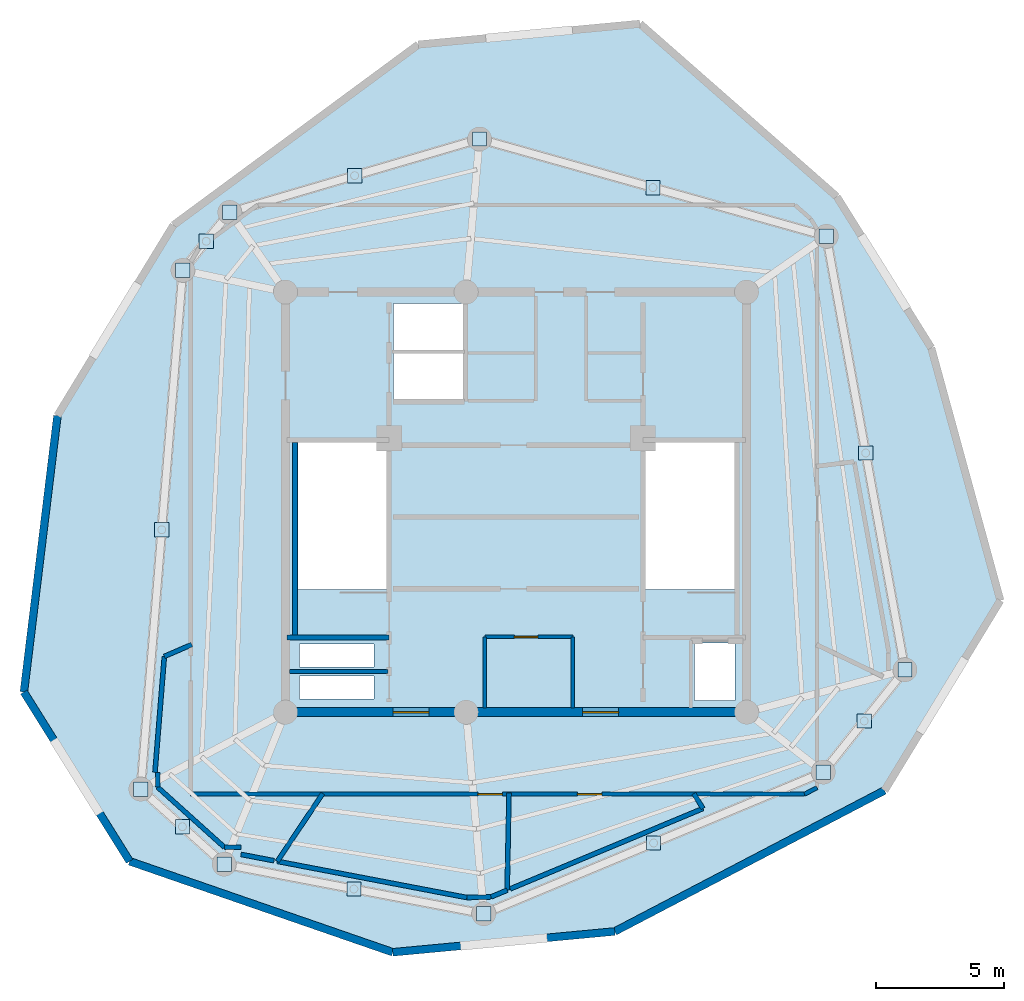
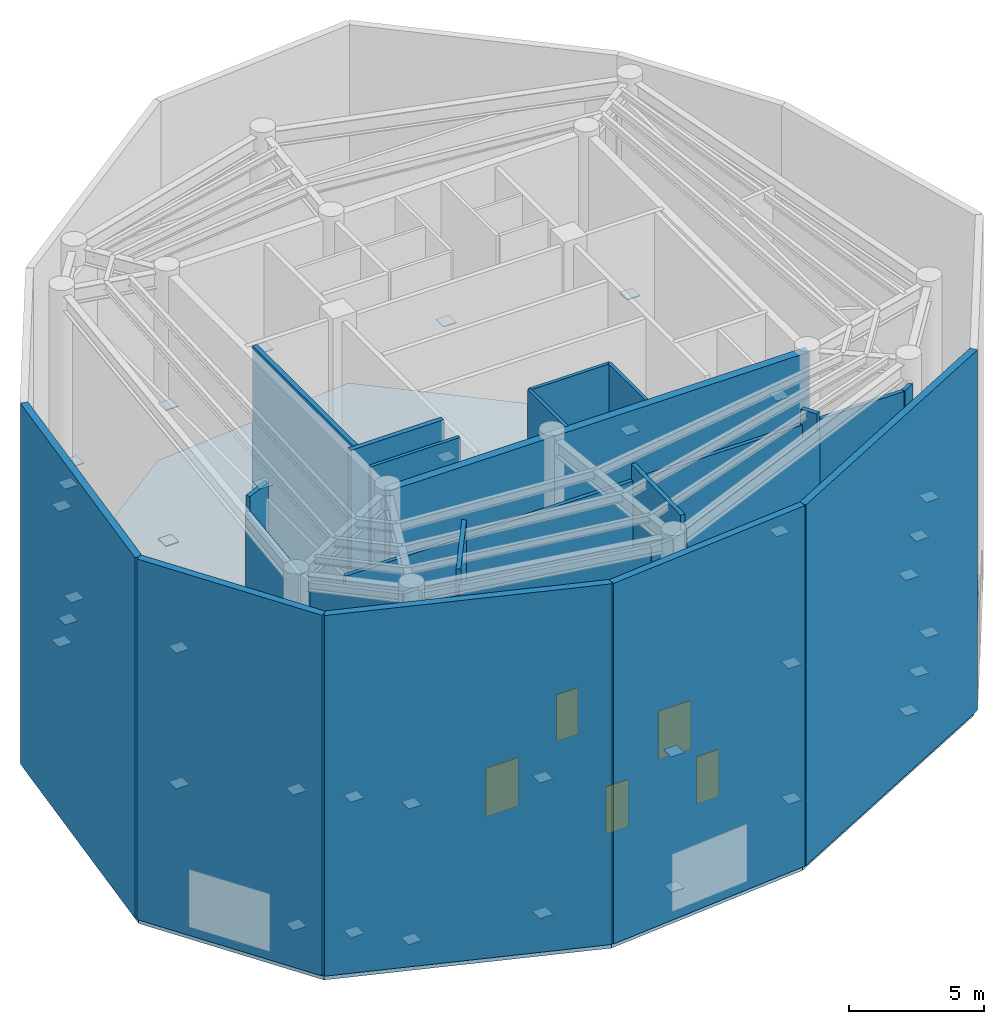
# One storey, part 3 of 6: 36 plates, 28 walls, 5 doors, 1 slab, 5 openings.
"""IFC4 building model written with IfcOpenShell, lengths in metres."""

from ifc_helpers import new_model, si_unit, direction, frame, frame_2d, origin, origin_with_axes, origin_2d, place, context, subcontext, project, spatial, polyline, rectangle, outline, extrude, source, transform, mapped, material, layer, layer_set, type_object, element, fill, save


model = new_model("IFC4")

# Units and contexts
model_context = context("Model", 3, precision=1e-05, world=origin(), true_north=direction((0.0, 1.0)))
body_context = subcontext(model_context, "Body", "Model", "MODEL_VIEW")
ifc_project = project(units=[si_unit("LENGTHUNIT", "METRE"), si_unit("AREAUNIT", "SQUARE_METRE"), si_unit("VOLUMEUNIT", "CUBIC_METRE"), si_unit("PLANEANGLEUNIT", "RADIAN"), si_unit("MASSUNIT", "GRAM", prefix="KILO")], contexts=[model_context])

# Site, building, storey
site_placement = place(None, origin())
site = spatial("IfcSite", under=ifc_project, at=site_placement, CompositionType="ELEMENT")
building_placement = place(site_placement, origin())
building = spatial("IfcBuilding", under=site, at=building_placement, Name="Karkom Vertical University and Central Library", CompositionType="ELEMENT")
storey_placement = place(building_placement, frame((0.0, 0.0, 273.39990234375)))
storey = spatial("IfcBuildingStorey", under=building, at=storey_placement, Name="C81", CompositionType="ELEMENT", Elevation=273.39990234375)

# Slab
ifc_material_1 = material(Name="Concrete C45/55", Category="concrete")
ifc_layer_1 = layer(ifc_material_1, 0.27490234375)
ifc_layer_set_1 = layer_set([ifc_layer_1], Name="Concrete C45/55")
slab_type = type_object("IfcSlabType", Name="STR-SLB-FLR-275", PredefinedType="FLOOR", material=ifc_layer_set_1)
slab_placement = place(storey_placement, frame((0.0, 0.0, -0.27490234375)))
element("IfcSlab", 1, at=slab_placement, inside=storey, type_object=slab_type, Name="Crown Level 81 Tower Structural Floor Slab", PredefinedType="FLOOR", context=body_context, shape_type="SweptSolid", body=[
    extrude(outline(polyline([(9.28466796875, 19.087158203125), (13.413818359375, 12.47900390625), (23.686279296875, 8.926513671875), (32.35498046875, 9.739501953125), (42.880126953125, 15.24169921875), (47.401123046875, 22.660888671875), (44.7041015625, 32.5234375), (41.017333984375, 38.423583984375), (33.335205078125, 45.171142578125), (24.684814453125, 44.360107421875), (15.12548828125, 37.312255859375), (10.594970703125, 29.876953125), (9.28466796875, 19.087158203125)]), holes=[polyline([(19.97998046875, 23.0849609375), (23.43994140625, 23.0849609375), (23.43994140625, 28.820068359375), (19.97998046875, 28.820068359375), (19.97998046875, 23.0849609375)]), polyline([(33.56005859375, 23.0849609375), (37.02001953125, 23.0849609375), (37.02001953125, 28.820068359375), (33.56005859375, 28.820068359375), (33.56005859375, 23.0849609375)]), polyline([(23.719970703125, 30.47998046875), (26.429931640625, 30.47998046875), (26.429931640625, 32.320068359375), (23.719970703125, 32.320068359375), (23.719970703125, 30.47998046875)]), polyline([(23.719970703125, 32.419921875), (26.429931640625, 32.419921875), (26.429931640625, 34.260009765625), (23.719970703125, 34.260009765625), (23.719970703125, 32.419921875)]), polyline([(20.050048828125, 18.820068359375), (22.949951171875, 18.820068359375), (22.949951171875, 19.719970703125), (20.050048828125, 19.719970703125), (20.050048828125, 18.820068359375)]), polyline([(20.050048828125, 20.06005859375), (22.949951171875, 20.06005859375), (22.949951171875, 20.9599609375), (20.050048828125, 20.9599609375), (20.050048828125, 20.06005859375)]), polyline([(35.4599609375, 18.760009765625), (37.0400390625, 18.760009765625), (37.0400390625, 21.010009765625), (35.4599609375, 21.010009765625), (35.4599609375, 18.760009765625)])]), origin(), (0.0, 0.0, 1.0), 0.27490234375),
])

# Plates
ifc_material_2 = material(Name="Steel S355", Category="steel")
ifc_layer_2 = layer(ifc_material_2, 0.028076171875)
ifc_layer_set_2 = layer_set([ifc_layer_2], Name="Steel S355")
plate_type = type_object("IfcPlateType", Name="STR-PLT-GP-2", PredefinedType="USERDEFINED", material=ifc_layer_set_2)
shared_shape_1 = source(origin_with_axes(), body_context, "Body", "SweptSolid", [
    extrude(rectangle(XDim=0.56005859375, YDim=0.56005859375, at=origin_2d()), origin(), (0.0, 0.0, 1.0), 0.028076171875),
])
for number, where, z_axis, x_axis, name in (
    (2, (43.681884765625, 19.9560546875, 0.3359375), (0.0, 0.0, 1.0), (1.0, 0.0, 0.0), "Crown Level 81 Node Gusset Cap Plate C81-BELT-BRACE-01 A"),
    (3, (40.613037109375, 36.8798828125, 6.48583984375), (0.0, 0.0, 1.0), (1.0, 0.0, 0.0), "Crown Level 81 Node Gusset Cap Plate C81-BELT-BRACE-01 B"),
    (4, (40.613037109375, 36.8798828125, 0.3359375), (0.0, 0.0, 1.0), (1.0, 0.0, 0.0), "Crown Level 81 Node Gusset Cap Plate C81-BELT-CHORD-01 B"),
    (5, (42.1474609375, 28.41796875, 0.3359375), (0.0, 0.0, 1.0), (1.0, 0.0, 0.0), "Crown Level 81 Node Gusset Cap Plate C81-BELT-POST-01 A"),
    (6, (42.1474609375, 28.41796875, 6.48583984375), (0.0, 0.0, 1.0), (1.0, 0.0, 0.0), "Crown Level 81 Node Gusset Cap Plate C81-BELT-POST-01 B"),
    (7, (27.072998046875, 40.677001953125, 6.48583984375), (0.0, 0.0, 1.0), (1.0, 0.0, 0.0), "Crown Level 81 Node Gusset Cap Plate C81-BELT-BRACE-02 B"),
    (8, (27.072998046875, 40.677001953125, 0.3359375), (0.0, 0.0, 1.0), (1.0, 0.0, 0.0), "Crown Level 81 Node Gusset Cap Plate C81-BELT-CHORD-02 B"),
    (9, (33.843017578125, 38.778564453125, 0.3359375), (0.0, 0.0, 1.0), (1.0, 0.0, 0.0), "Crown Level 81 Node Gusset Cap Plate C81-BELT-POST-02 A"),
    (10, (33.843017578125, 38.778564453125, 6.48583984375), (0.0, 0.0, 1.0), (1.0, 0.0, 0.0), "Crown Level 81 Node Gusset Cap Plate C81-BELT-POST-02 B"),
    (11, (17.320068359375, 37.81298828125, 6.48583984375), (0.0, 0.0, 1.0), (1.0, 0.0, 0.0), "Crown Level 81 Node Gusset Cap Plate C81-BELT-BRACE-03 B"),
    (12, (17.320068359375, 37.81298828125, 0.3359375), (0.0, 0.0, 1.0), (1.0, 0.0, 0.0), "Crown Level 81 Node Gusset Cap Plate C81-BELT-CHORD-03 B"),
    (13, (22.196533203125, 39.2451171875, 0.3359375), (0.0, 0.0, 1.0), (1.0, 0.0, 0.0), "Crown Level 81 Node Gusset Cap Plate C81-BELT-POST-03 A"),
    (14, (22.196533203125, 39.2451171875, 6.48583984375), (0.0, 0.0, 1.0), (1.0, 0.0, 0.0), "Crown Level 81 Node Gusset Cap Plate C81-BELT-POST-03 B"),
    (15, (15.489990234375, 35.552001953125, 6.48583984375), (0.0, 0.0, 1.0), (1.0, 0.0, 0.0), "Crown Level 81 Node Gusset Cap Plate C81-BELT-BRACE-04 B"),
    (16, (15.489990234375, 35.552001953125, 0.3359375), (0.0, 0.0, 1.0), (1.0, 0.0, 0.0), "Crown Level 81 Node Gusset Cap Plate C81-BELT-CHORD-04 B"),
    (17, (16.405029296875, 36.6826171875, 0.3359375), (0.0, 0.0, 1.0), (1.0, 0.0, 0.0), "Crown Level 81 Node Gusset Cap Plate C81-BELT-POST-04 A"),
    (18, (16.405029296875, 36.6826171875, 6.48583984375), (0.0, 0.0, 1.0), (1.0, 0.0, 0.0), "Crown Level 81 Node Gusset Cap Plate C81-BELT-POST-04 B"),
    (19, (13.84912109375, 15.294921875, 6.48583984375), (0.0, 0.0, 1.0), (1.0, 0.0, 0.0), "Crown Level 81 Node Gusset Cap Plate C81-BELT-BRACE-05 B"),
    (20, (13.84912109375, 15.294921875, 0.3359375), (0.0, 0.0, 1.0), (1.0, 0.0, 0.0), "Crown Level 81 Node Gusset Cap Plate C81-BELT-CHORD-05 B"),
    (21, (14.66943359375, 25.423583984375, 0.3359375), (0.0, 0.0, 1.0), (1.0, 0.0, 0.0), "Crown Level 81 Node Gusset Cap Plate C81-BELT-POST-05 A"),
    (22, (14.66943359375, 25.423583984375, 6.48583984375), (0.0, 0.0, 1.0), (1.0, 0.0, 0.0), "Crown Level 81 Node Gusset Cap Plate C81-BELT-POST-05 B"),
    (23, (17.10302734375, 12.365966796875, 6.48583984375), (0.0, 0.0, 1.0), (1.0, 0.0, 0.0), "Crown Level 81 Node Gusset Cap Plate C81-BELT-BRACE-06 B"),
    (24, (17.10302734375, 12.365966796875, 0.3359375), (0.0, 0.0, 1.0), (1.0, 0.0, 0.0), "Crown Level 81 Node Gusset Cap Plate C81-BELT-CHORD-06 B"),
    (25, (15.47607421875, 13.83056640625, 0.3359375), (0.0, 0.0, 1.0), (1.0, 0.0, 0.0), "Crown Level 81 Node Gusset Cap Plate C81-BELT-POST-06 A"),
    (26, (15.47607421875, 13.83056640625, 6.48583984375), (0.0, 0.0, 1.0), (1.0, 0.0, 0.0), "Crown Level 81 Node Gusset Cap Plate C81-BELT-POST-06 B"),
    (27, (27.239013671875, 10.429931640625, 6.48583984375), (0.0, 0.0, 1.0), (1.0, 0.0, 0.0), "Crown Level 81 Node Gusset Cap Plate C81-BELT-BRACE-07 B"),
    (28, (27.239013671875, 10.429931640625, 0.3359375), (0.0, 0.0, 1.0), (1.0, 0.0, 0.0), "Crown Level 81 Node Gusset Cap Plate C81-BELT-CHORD-07 B"),
    (29, (22.1708984375, 11.39794921875, 0.3359375), (0.0, 0.0, 1.0), (1.0, 0.0, 0.0), "Crown Level 81 Node Gusset Cap Plate C81-BELT-POST-07 A"),
    (30, (22.1708984375, 11.39794921875, 6.48583984375), (0.0, 0.0, 1.0), (1.0, 0.0, 0.0), "Crown Level 81 Node Gusset Cap Plate C81-BELT-POST-07 B"),
    (31, (40.493896484375, 15.9599609375, 6.48583984375), (0.0, 0.0, 1.0), (1.0, 0.0, 0.0), "Crown Level 81 Node Gusset Cap Plate C81-BELT-BRACE-08 B"),
    (32, (40.493896484375, 15.9599609375, 0.3359375), (0.0, 0.0, 1.0), (1.0, 0.0, 0.0), "Crown Level 81 Node Gusset Cap Plate C81-BELT-CHORD-08 B"),
    (33, (33.866455078125, 13.195068359375, 0.3359375), (0.0, 0.0, 1.0), (1.0, 0.0, 0.0), "Crown Level 81 Node Gusset Cap Plate C81-BELT-POST-08 A"),
    (34, (33.866455078125, 13.195068359375, 6.48583984375), (0.0, 0.0, 1.0), (1.0, 0.0, 0.0), "Crown Level 81 Node Gusset Cap Plate C81-BELT-POST-08 B"),
    (35, (43.681884765625, 19.9560546875, 6.48583984375), (0.0, 0.0, 1.0), (1.0, 0.0, 0.0), "Crown Level 81 Node Gusset Cap Plate C81-BELT-BRACE-09 B"),
    (36, (42.087890625, 17.9580078125, 0.3359375), (0.0, 0.0, 1.0), (1.0, 0.0, 0.0), "Crown Level 81 Node Gusset Cap Plate C81-BELT-POST-09 A"),
    (37, (42.087890625, 17.9580078125, 6.48583984375), (0.0, 0.0, 1.0), (1.0, 0.0, 0.0), "Crown Level 81 Node Gusset Cap Plate C81-BELT-POST-09 B"),
):
    element("IfcPlate", number, at=place(storey_placement, frame(where, z_axis=z_axis, x_axis=x_axis)), inside=storey, type_object=plate_type, Name=name, ObjectType="GUSSET PLATE", PredefinedType="USERDEFINED", context=body_context, shape_type="MappedRepresentation", body=[
        mapped(shared_shape_1, transform((0.0, 0.0, 0.0), scale=1.0)),
    ])

# Walls
ifc_material_3 = material(Name="Brick-faced precast concrete C45/55", Category="masonry")
ifc_layer_3 = layer(ifc_material_3, 0.300048828125)
ifc_layer_set_3 = layer_set([ifc_layer_3], Name="Brick-faced precast concrete C45/55")
wall_type_1 = type_object("IfcWallType", Name="ENV-WL-CRN-300", PredefinedType="SOLIDWALL", material=ifc_layer_set_3)
wall_1_placement = place(storey_placement, frame((9.28466796875, 19.087158203125, 0.0), z_axis=(0.0, 0.0, 1.0), x_axis=(0.529911631117, -0.848052865809, 0.0)))
element("IfcWall", 38, at=wall_1_placement, inside=storey, type_object=wall_type_1, Name="Crown Level 81 Brick-Faced Precast Facade Wall 01", PredefinedType="SOLIDWALL", context=body_context, shape_type="SweptSolid", body=[
    extrude(rectangle(XDim=7.792236328125, YDim=0.300048828125, at=frame_2d((3.89599609375, 0.0))), origin(), (0.0, 0.0, 1.0), 16.35009765625),
])
wall_2_placement = place(storey_placement, frame((13.413818359375, 12.47900390625, 0.0), z_axis=(0.0, 0.0, 1.0), x_axis=(0.945081634544, -0.326834367912, 0.0)))
element("IfcWall", 39, at=wall_2_placement, inside=storey, type_object=wall_type_1, Name="Crown Level 81 Brick-Faced Precast Facade Wall 02", PredefinedType="SOLIDWALL", context=body_context, shape_type="SweptSolid", body=[
    extrude(rectangle(XDim=10.869384765625, YDim=0.300048828125, at=frame_2d((5.4345703125, 0.0))), origin(), (0.0, 0.0, 1.0), 16.35009765625),
])
wall_3_placement = place(storey_placement, frame((23.686279296875, 8.926513671875, 0.0), z_axis=(0.0, 0.0, 1.0), x_axis=(0.99563104956, 0.093374585153, 0.0)))
element("IfcWall", 40, at=wall_3_placement, inside=storey, type_object=wall_type_1, Name="Crown Level 81 Brick-Faced Precast Facade Wall 03", PredefinedType="SOLIDWALL", context=body_context, shape_type="SweptSolid", body=[
    extrude(rectangle(XDim=8.706787109375, YDim=0.300048828125, at=frame_2d((4.353515625, 0.0))), origin(), (0.0, 0.0, 1.0), 16.35009765625),
])
wall_4_placement = place(storey_placement, frame((32.35498046875, 9.739501953125, 0.0), z_axis=(0.0, 0.0, 1.0), x_axis=(0.886211058158, 0.463281728972, 0.0)))
element("IfcWall", 41, at=wall_4_placement, inside=storey, type_object=wall_type_1, Name="Crown Level 81 Brick-Faced Precast Facade Wall 04", PredefinedType="SOLIDWALL", context=body_context, shape_type="SweptSolid", body=[
    extrude(rectangle(XDim=11.87646484375, YDim=0.300048828125, at=frame_2d((5.938232421875, 0.0))), origin(), (0.0, 0.0, 1.0), 16.35009765625),
])
wall_5_placement = place(storey_placement, frame((10.594970703125, 29.876953125, 0.0), z_axis=(0.0, 0.0, 1.0), x_axis=(-0.120553402625, -0.992706843492, 0.0)))
element("IfcWall", 42, at=wall_5_placement, inside=storey, type_object=wall_type_1, Name="Crown Level 81 Brick-Faced Precast Facade Wall 12", PredefinedType="SOLIDWALL", context=body_context, shape_type="SweptSolid", body=[
    extrude(rectangle(XDim=10.869140625, YDim=0.300048828125, at=frame_2d((5.4345703125, 0.0))), origin(), (0.0, 0.0, 1.0), 16.35009765625),
])

# Wall, openings, doors
ifc_material_4 = material(Name="Insulated metal-stud drywall 160mm", Category="gypsum")
ifc_layer_4 = layer(ifc_material_4, 0.159912109375)
ifc_layer_set_4 = layer_set([ifc_layer_4], Name="Insulated metal-stud drywall 160mm")
wall_type_2 = type_object("IfcWallType", Name="INT-WL-COR-160F", PredefinedType="PARTITIONING", material=ifc_layer_set_4)
wall_6_placement = place(storey_placement, frame((39.760009765625, 15.10009765625, 0.0), z_axis=(0.0, 0.0, 1.0), x_axis=(-1.0, 0.0, 0.0)))
wall_6 = element("IfcWall", 43, at=wall_6_placement, inside=storey, type_object=wall_type_2, Name="Crown Level 81 Interior Partition Wall C81-PCORW-CW-001", PredefinedType="PARTITIONING", context=body_context, shape_type="SweptSolid", body=[
    extrude(rectangle(XDim=23.9599609375, YDim=0.159912109375, at=frame_2d((11.97998046875, 0.0))), origin(), (0.0, 0.0, 1.0), 15.650146484375),
])
opening_1_placement = place(wall_6_placement, frame((11.795166015625, 0.0, 0.0)))
opening_1 = element("IfcOpeningElement", 44, at=opening_1_placement, cuts=wall_6, Name="Opening FD-RM1", PredefinedType="OPENING", context=body_context, shape_type="SweptSolid", body=[
    extrude(rectangle(XDim=0.9599609375, YDim=2.14990234375, at=frame_2d((0.47998046875, 1.074951171875))), frame((0.0, 0.08984375, 0.0), z_axis=(0.0, -1.0, 0.0), x_axis=(1.0, 0.0, 0.0)), (0.0, 0.0, 1.0), 0.179931640625),
])
opening_2_placement = place(wall_6_placement, frame((7.910888671875, 0.0, 0.0)))
opening_2 = element("IfcOpeningElement", 45, at=opening_2_placement, cuts=wall_6, Name="Opening FD-RM1", PredefinedType="OPENING", context=body_context, shape_type="SweptSolid", body=[
    extrude(rectangle(XDim=0.9599609375, YDim=2.14990234375, at=frame_2d((0.47998046875, 1.074951171875))), frame((0.0, 0.08984375, 0.0), z_axis=(0.0, -1.0, 0.0), x_axis=(1.0, 0.0, 0.0)), (0.0, 0.0, 1.0), 0.179931640625),
])
ifc_material_5 = material(Name="Fire-rated oak veneer door", Category="wood")
door_type_1 = type_object("IfcDoorType", Name="INT-DR-FRM1", OperationType="NOTDEFINED", PredefinedType="DOOR", material=ifc_material_5)
shared_shape_2 = source(origin_with_axes(), body_context, "Body", "SweptSolid", [
    extrude(rectangle(XDim=0.9599609375, YDim=2.14990234375, at=frame_2d((0.47998046875, 1.074951171875))), frame((0.0, 0.02490234375, 0.0), z_axis=(0.0, -1.0, 0.0), x_axis=(1.0, 0.0, 0.0)), (0.0, 0.0, 1.0), 0.050048828125),
])
door_1_placement = place(opening_1_placement, origin())
door_1 = element("IfcDoor", 46, at=door_1_placement, inside=storey, type_object=door_type_1, Name="Crown Level 81 Room Entry Door 701", OperationType="SINGLE_SWING_LEFT", OverallHeight=2.14990234375, OverallWidth=0.9599609375, PredefinedType="DOOR", context=body_context, shape_type="MappedRepresentation", body=[
    mapped(shared_shape_2, transform((0.0, 0.0, 0.0), scale=1.0)),
])
fill(opening_1, door_1)
door_2_placement = place(opening_2_placement, origin())
door_2 = element("IfcDoor", 47, at=door_2_placement, inside=storey, type_object=door_type_1, Name="Crown Level 81 Room Entry Door 702", OperationType="SINGLE_SWING_RIGHT", OverallHeight=2.14990234375, OverallWidth=0.9599609375, PredefinedType="DOOR", context=body_context, shape_type="MappedRepresentation", body=[
    mapped(shared_shape_2, transform((0.0, 0.0, 0.0), scale=1.0)),
])
fill(opening_2, door_2)

# Wall
wall_7_placement = place(storey_placement, frame((40.25, 15.356201171875, 0.0), z_axis=(0.0, 0.0, 1.0), x_axis=(-0.886246044064, -0.463214798318, 0.0)))
element("IfcWall", 48, at=wall_7_placement, inside=storey, type_object=wall_type_2, Name="Crown Level 81 Interior Partition Wall C81-PCORW-CW-009", PredefinedType="PARTITIONING", context=body_context, shape_type="SweptSolid", body=[
    extrude(rectangle(XDim=0.552978515625, YDim=0.159912109375, at=frame_2d((0.2763671875, 0.0))), origin(), (0.0, 0.0, 1.0), 15.650146484375),
])

# Wall, opening, door
ifc_material_6 = material(Name="Metal-stud gypsum partition 140mm", Category="gypsum")
ifc_layer_5 = layer(ifc_material_6, 0.139892578125)
ifc_layer_set_5 = layer_set([ifc_layer_5], Name="Metal-stud gypsum partition 140mm")
wall_type_3 = type_object("IfcWallType", Name="INT-WL-SUB-140", PredefinedType="PARTITIONING", material=ifc_layer_set_5)
wall_8_placement = place(storey_placement, frame((27.280029296875, 21.239990234375, 0.0), z_axis=(0.0, 0.0, 1.0), x_axis=(1.0, 0.0, 0.0)))
wall_8 = element("IfcWall", 49, at=wall_8_placement, inside=storey, type_object=wall_type_3, Name="Crown Level 81 Interior Partition Wall C81-CW-KBAY-N", PredefinedType="PARTITIONING", context=body_context, shape_type="SweptSolid", body=[
    extrude(rectangle(XDim=3.43994140625, YDim=0.139892578125, at=frame_2d((1.719970703125, 0.0))), origin(), (0.0, 0.0, 1.0), 16.35009765625),
])
opening_3_placement = place(wall_8_placement, frame((1.14990234375, 0.0, 0.0)))
opening_3 = element("IfcOpeningElement", 50, at=opening_3_placement, cuts=wall_8, Name="Opening D-SVC1", PredefinedType="OPENING", context=body_context, shape_type="SweptSolid", body=[
    extrude(rectangle(XDim=0.919921875, YDim=2.10009765625, at=frame_2d((0.4599609375, 1.050048828125))), frame((0.0, 0.080078125, 0.0), z_axis=(0.0, -1.0, 0.0), x_axis=(1.0, 0.0, 0.0)), (0.0, 0.0, 1.0), 0.159912109375),
])
ifc_material_7 = material(Name="Painted timber service door", Category="wood")
door_type_2 = type_object("IfcDoorType", Name="INT-DR-SVC1", OperationType="NOTDEFINED", PredefinedType="DOOR", material=ifc_material_7)
shared_shape_3 = source(origin_with_axes(), body_context, "Body", "SweptSolid", [
    extrude(rectangle(XDim=0.919921875, YDim=2.10009765625, at=frame_2d((0.4599609375, 1.050048828125))), frame((0.0, 0.02490234375, 0.0), z_axis=(0.0, -1.0, 0.0), x_axis=(1.0, 0.0, 0.0)), (0.0, 0.0, 1.0), 0.050048828125),
])
door_3_placement = place(opening_3_placement, origin())
door_3 = element("IfcDoor", 51, at=door_3_placement, inside=storey, type_object=door_type_2, Name="Crown Level 81 Comms Room Door", OperationType="SINGLE_SWING_RIGHT", OverallHeight=2.10009765625, OverallWidth=0.919921875, PredefinedType="DOOR", context=body_context, shape_type="MappedRepresentation", body=[
    mapped(shared_shape_3, transform((0.0, 0.0, 0.0), scale=1.0)),
])
fill(opening_3, door_3)

# Walls
for number, where, z_axis, x_axis, name in (
    (52, (27.280029296875, 18.4599609375, 0.0), (0.0, 0.0, 1.0), (0.0, 1.0, 0.0), "Crown Level 81 Interior Partition Wall C81-CW-KBAY-W"),
    (53, (30.719970703125, 18.4599609375, 0.0), (0.0, 0.0, 1.0), (0.0, 1.0, 0.0), "Crown Level 81 Interior Partition Wall C81-CW-KBAY-E"),
):
    element("IfcWall", number, at=place(storey_placement, frame(where, z_axis=z_axis, x_axis=x_axis)), inside=storey, type_object=wall_type_3, Name=name, PredefinedType="PARTITIONING", context=body_context, shape_type="SweptSolid", body=[
        extrude(rectangle(XDim=2.780029296875, YDim=0.139892578125, at=frame_2d((1.39013671875, 0.0))), origin(), (0.0, 0.0, 1.0), 16.35009765625),
    ])
ifc_layer_6 = layer(ifc_material_6, 0.139892578125)
ifc_layer_set_6 = layer_set([ifc_layer_6], Name="Metal-stud gypsum partition 140mm")
wall_type_4 = type_object("IfcWallType", Name="INT-WL-SUB-140H", PredefinedType="PARTITIONING", material=ifc_layer_set_6)
wall_9_placement = place(storey_placement, frame((19.659912109375, 19.889892578125, 0.0), z_axis=(0.0, 0.0, 1.0), x_axis=(1.0, 0.0, 0.0)))
element("IfcWall", 54, at=wall_9_placement, inside=storey, type_object=wall_type_4, Name="Crown Level 81 Interior Partition Wall C81-CW-RIS-W", PredefinedType="PARTITIONING", context=body_context, shape_type="SweptSolid", body=[
    extrude(rectangle(XDim=3.83740234375, YDim=0.139892578125, at=frame_2d((1.918701171875, 0.0))), origin(), (0.0, 0.0, 1.0), 16.35009765625),
])
ifc_material_8 = material(Name="Twin-stud acoustic drywall 180mm", Category="gypsum")
ifc_layer_7 = layer(ifc_material_8, 0.179931640625)
ifc_layer_set_7 = layer_set([ifc_layer_7], Name="Twin-stud acoustic drywall 180mm")
wall_type_5 = type_object("IfcWallType", Name="INT-WL-TEN-180F", PredefinedType="PARTITIONING", material=ifc_layer_set_7)
wall_10_placement = place(storey_placement, frame((35.796630859375, 14.5419921875, 0.0), z_axis=(0.0, 0.0, 1.0), x_axis=(-0.922909385412, -0.3850172286, 0.0)))
element("IfcWall", 55, at=wall_10_placement, inside=storey, type_object=wall_type_5, Name="Crown Level 81 Interior Partition Wall C81-PLCHW-014", PredefinedType="PARTITIONING", context=body_context, shape_type="SweptSolid", body=[
    extrude(rectangle(XDim=8.152587890625, YDim=0.179931640625, at=frame_2d((4.076171875, 0.0))), origin(), (0.0, 0.0, 1.0), 15.650146484375),
])
wall_11_placement = place(storey_placement, frame((26.5791015625, 11.065185546875, 0.0), z_axis=(0.0, 0.0, 1.0), x_axis=(-0.982245124485, 0.187602013383, 0.0)))
element("IfcWall", 56, at=wall_11_placement, inside=storey, type_object=wall_type_5, Name="Crown Level 81 Interior Partition Wall C81-PLCHW-011", PredefinedType="PARTITIONING", context=body_context, shape_type="SweptSolid", body=[
    extrude(rectangle(XDim=7.53369140625, YDim=0.179931640625, at=frame_2d((3.766845703125, 0.0))), origin(), (0.0, 0.0, 1.0), 15.650146484375),
])
wall_12_placement = place(storey_placement, frame((14.404052734375, 15.955078125, 0.0), z_axis=(0.0, 0.0, 1.0), x_axis=(0.080760970591, 0.996733497796, 0.0)))
element("IfcWall", 57, at=wall_12_placement, inside=storey, type_object=wall_type_5, Name="Crown Level 81 Interior Partition Wall C81-PLCHW-003", PredefinedType="PARTITIONING", context=body_context, shape_type="SweptSolid", body=[
    extrude(rectangle(XDim=4.53759765625, YDim=0.179931640625, at=frame_2d((2.268798828125, 0.0))), origin(), (0.0, 0.0, 1.0), 15.650146484375),
])
wall_13_placement = place(storey_placement, frame((28.223876953125, 15.14501953125, 0.0), z_axis=(0.0, 0.0, 1.0), x_axis=(-0.019051517767, -0.999818503365, 0.0)))
element("IfcWall", 58, at=wall_13_placement, inside=storey, type_object=wall_type_5, Name="Crown Level 81 Interior Partition Wall C81-PLCHW-008", PredefinedType="PARTITIONING", context=body_context, shape_type="SweptSolid", body=[
    extrude(rectangle(XDim=3.793212890625, YDim=0.179931640625, at=frame_2d((1.896484375, 0.0))), origin(), (0.0, 0.0, 1.0), 16.35009765625),
])
wall_14_placement = place(storey_placement, frame((17.1171875, 13.02587890625, 0.0), z_axis=(0.0, 0.0, 1.0), x_axis=(-0.743249171916, 0.669014699723, 0.0)))
element("IfcWall", 59, at=wall_14_placement, inside=storey, type_object=wall_type_5, Name="Crown Level 81 Interior Partition Wall C81-PLCHW-001", PredefinedType="PARTITIONING", context=body_context, shape_type="SweptSolid", body=[
    extrude(rectangle(XDim=3.509033203125, YDim=0.179931640625, at=frame_2d((1.75439453125, 0.0))), origin(), (0.0, 0.0, 1.0), 15.650146484375),
])
wall_15_placement = place(storey_placement, frame((19.17919921875, 12.478515625, 0.0), z_axis=(0.0, 0.0, 1.0), x_axis=(0.556573567223, 0.830798329481, 0.0)))
element("IfcWall", 60, at=wall_15_placement, inside=storey, type_object=wall_type_5, Name="Crown Level 81 Interior Partition Wall C81-PLCHW-012", PredefinedType="PARTITIONING", context=body_context, shape_type="SweptSolid", body=[
    extrude(rectangle(XDim=3.185546875, YDim=0.179931640625, at=frame_2d((1.5927734375, 0.0))), origin(), (0.0, 0.0, 1.0), 16.35009765625),
])
wall_16_placement = place(storey_placement, frame((19.051025390625, 12.5029296875, 0.0), z_axis=(0.0, 0.0, 1.0), x_axis=(-0.982234125925, 0.187659590397, 0.0)))
element("IfcWall", 61, at=wall_16_placement, inside=storey, type_object=wall_type_5, Name="Crown Level 81 Interior Partition Wall C81-PLCHW-006", PredefinedType="PARTITIONING", context=body_context, shape_type="SweptSolid", body=[
    extrude(rectangle(XDim=1.311279296875, YDim=0.179931640625, at=frame_2d((0.65576171875, 0.0))), origin(), (0.0, 0.0, 1.0), 15.650146484375),
])
wall_17_placement = place(storey_placement, frame((14.7705078125, 20.477783203125, 0.0), z_axis=(0.0, 0.0, 1.0), x_axis=(0.917372391366, 0.398030018415, 0.0)))
element("IfcWall", 62, at=wall_17_placement, inside=storey, type_object=wall_type_5, Name="Crown Level 81 Interior Partition Wall C81-PLCHW-004", PredefinedType="PARTITIONING", context=body_context, shape_type="SweptSolid", body=[
    extrude(rectangle(XDim=1.167236328125, YDim=0.179931640625, at=frame_2d((0.58349609375, 0.0))), origin(), (0.0, 0.0, 1.0), 16.35009765625),
])
wall_18_placement = place(storey_placement, frame((27.5224609375, 11.090087890625, 0.0), z_axis=(0.0, 0.0, 1.0), x_axis=(-0.99965176757, -0.026388323057, 0.0)))
element("IfcWall", 63, at=wall_18_placement, inside=storey, type_object=wall_type_5, Name="Crown Level 81 Interior Partition Wall C81-PLCHW-010", PredefinedType="PARTITIONING", context=body_context, shape_type="SweptSolid", body=[
    extrude(rectangle(XDim=0.943603515625, YDim=0.179931640625, at=frame_2d((0.4716796875, 0.0))), origin(), (0.0, 0.0, 1.0), 15.650146484375),
])
wall_19_placement = place(storey_placement, frame((35.43701171875, 15.12548828125, 0.0), z_axis=(0.0, 0.0, 1.0), x_axis=(0.524673636587, -0.851303456513, 0.0)))
element("IfcWall", 64, at=wall_19_placement, inside=storey, type_object=wall_type_5, Name="Crown Level 81 Interior Partition Wall C81-PLCHW-013", PredefinedType="PARTITIONING", context=body_context, shape_type="SweptSolid", body=[
    extrude(rectangle(XDim=0.685302734375, YDim=0.179931640625, at=frame_2d((0.3427734375, 0.0))), origin(), (0.0, 0.0, 1.0), 16.35009765625),
])
wall_20_placement = place(storey_placement, frame((28.151611328125, 11.3525390625, 0.0), z_axis=(0.0, 0.0, 1.0), x_axis=(-0.922917907921, -0.384996798997, 0.0)))
element("IfcWall", 65, at=wall_20_placement, inside=storey, type_object=wall_type_5, Name="Crown Level 81 Interior Partition Wall C81-PLCHW-009", PredefinedType="PARTITIONING", context=body_context, shape_type="SweptSolid", body=[
    extrude(rectangle(XDim=0.681640625, YDim=0.179931640625, at=frame_2d((0.3408203125, 0.0))), origin(), (0.0, 0.0, 1.0), 15.650146484375),
])
wall_21_placement = place(storey_placement, frame((17.762939453125, 13.02587890625, 0.0), z_axis=(0.0, 0.0, 1.0), x_axis=(-1.0, 0.0, 0.0)))
element("IfcWall", 66, at=wall_21_placement, inside=storey, type_object=wall_type_5, Name="Crown Level 81 Interior Partition Wall C81-PLCHW-007", PredefinedType="PARTITIONING", context=body_context, shape_type="SweptSolid", body=[
    extrude(rectangle(XDim=0.645751953125, YDim=0.179931640625, at=frame_2d((0.32275390625, 0.0))), origin(), (0.0, 0.0, 1.0), 15.650146484375),
])
wall_22_placement = place(storey_placement, frame((14.509033203125, 15.37353515625, 0.0), z_axis=(0.0, 0.0, 1.0), x_axis=(0.0, 1.0, 0.0)))
element("IfcWall", 67, at=wall_22_placement, inside=storey, type_object=wall_type_5, Name="Crown Level 81 Interior Partition Wall C81-PLCHW-002", PredefinedType="PARTITIONING", context=body_context, shape_type="SweptSolid", body=[
    extrude(rectangle(XDim=0.58154296875, YDim=0.179931640625, at=frame_2d((0.290771484375, 0.0))), origin(), (0.0, 0.0, 1.0), 15.650146484375),
])

# Wall, opening, door
ifc_layer_8 = layer(ifc_material_1, 0.35009765625)
ifc_layer_set_8 = layer_set([ifc_layer_8], Name="Concrete C45/55")
wall_type_6 = type_object("IfcWallType", Name="STR-WL-CW-350", PredefinedType="SHEAR", material=ifc_layer_set_8)
wall_23_placement = place(storey_placement, frame((19.5, 18.300048828125, 0.0), z_axis=(0.0, 0.0, 1.0), x_axis=(1.0, 0.0, 0.0)))
wall_23 = element("IfcWall", 68, at=wall_23_placement, inside=storey, type_object=wall_type_6, Name="Crown Level 81 Central Core Shear Wall SW1", PredefinedType="SHEAR", context=body_context, shape_type="SweptSolid", body=[
    extrude(rectangle(XDim=7.050048828125, YDim=0.35009765625, at=frame_2d((3.52490234375, 0.0))), origin(), (0.0, 0.0, 1.0), 16.35009765625),
])
opening_4_placement = place(wall_23_placement, frame((4.199951171875, 0.0, 0.0)))
opening_4 = element("IfcOpeningElement", 69, at=opening_4_placement, cuts=wall_23, Name="Opening FD-CLB", PredefinedType="OPENING", context=body_context, shape_type="SweptSolid", body=[
    extrude(rectangle(XDim=1.39990234375, YDim=2.199951171875, at=frame_2d((0.699951171875, 1.10009765625))), frame((0.0, 0.18505859375, 0.0), z_axis=(0.0, -1.0, 0.0), x_axis=(1.0, 0.0, 0.0)), (0.0, 0.0, 1.0), 0.3701171875),
])
ifc_material_9 = material(Name="Painted steel fire door", Category="steel")
door_type_3 = type_object("IfcDoorType", Name="INT-DR-CLB", OperationType="DOUBLE_DOOR_SINGLE_SWING", PredefinedType="DOOR", material=ifc_material_9)
shared_shape_4 = source(origin_with_axes(), body_context, "Body", "SweptSolid", [
    extrude(rectangle(XDim=1.39990234375, YDim=2.199951171875, at=frame_2d((0.699951171875, 1.10009765625))), frame((0.0, 0.02490234375, 0.0), z_axis=(0.0, -1.0, 0.0), x_axis=(1.0, 0.0, 0.0)), (0.0, 0.0, 1.0), 0.050048828125),
])
door_4_placement = place(opening_4_placement, origin())
door_4 = element("IfcDoor", 70, at=door_4_placement, inside=storey, type_object=door_type_3, Name="Crown Level 81 South Core Lobby West Exit Door", OperationType="DOUBLE_DOOR_SINGLE_SWING", OverallHeight=2.199951171875, OverallWidth=1.39990234375, PredefinedType="DOOR", context=body_context, shape_type="MappedRepresentation", body=[
    mapped(shared_shape_4, transform((0.0, 0.0, 0.0), scale=1.0)),
])
fill(opening_4, door_4)

wall_24_placement = place(storey_placement, frame((26.550048828125, 18.300048828125, 0.0), z_axis=(0.0, 0.0, 1.0), x_axis=(1.0, 0.0, 0.0)))
wall_24 = element("IfcWall", 71, at=wall_24_placement, inside=storey, type_object=wall_type_6, Name="Crown Level 81 Central Core Shear Wall SW2", PredefinedType="SHEAR", context=body_context, shape_type="SweptSolid", body=[
    extrude(rectangle(XDim=10.949951171875, YDim=0.35009765625, at=frame_2d((5.47509765625, 0.0))), origin(), (0.0, 0.0, 1.0), 16.35009765625),
])
opening_5_placement = place(wall_24_placement, frame((4.550048828125, 0.0, 0.0)))
opening_5 = element("IfcOpeningElement", 72, at=opening_5_placement, cuts=wall_24, Name="Opening FD-CLB", PredefinedType="OPENING", context=body_context, shape_type="SweptSolid", body=[
    extrude(rectangle(XDim=1.39990234375, YDim=2.199951171875, at=frame_2d((0.699951171875, 1.10009765625))), frame((0.0, 0.18505859375, 0.0), z_axis=(0.0, -1.0, 0.0), x_axis=(1.0, 0.0, 0.0)), (0.0, 0.0, 1.0), 0.3701171875),
])
door_5_placement = place(opening_5_placement, origin())
door_5 = element("IfcDoor", 73, at=door_5_placement, inside=storey, type_object=door_type_3, Name="Crown Level 81 South Core Lobby East Exit Door", OperationType="DOUBLE_DOOR_SINGLE_SWING", OverallHeight=2.199951171875, OverallWidth=1.39990234375, PredefinedType="DOOR", context=body_context, shape_type="MappedRepresentation", body=[
    mapped(shared_shape_4, transform((0.0, 0.0, 0.0), scale=1.0)),
])
fill(opening_5, door_5)

# Walls
ifc_layer_9 = layer(ifc_material_1, 0.199951171875)
ifc_layer_set_9 = layer_set([ifc_layer_9], Name="Concrete C45/55")
wall_type_7 = type_object("IfcWallType", Name="STR-WL-ST-200", PredefinedType="SHEAR", material=ifc_layer_set_9)
wall_25_placement = place(storey_placement, frame((19.875, 21.320068359375, 0.0), z_axis=(0.0, 0.0, 1.0), x_axis=(0.0, 1.0, 0.0)))
element("IfcWall", 74, at=wall_25_placement, inside=storey, type_object=wall_type_7, Name="Crown Level 81 Core Shaft Wall C81-CW-ST1-W", PredefinedType="SHEAR", context=body_context, shape_type="SweptSolid", body=[
    extrude(rectangle(XDim=7.5, YDim=0.199951171875, at=frame_2d((3.75, 0.0))), origin(), (0.0, 0.0, 1.0), 16.35009765625),
])
wall_26_placement = place(storey_placement, frame((19.550048828125, 21.215087890625, 0.0), z_axis=(0.0, 0.0, 1.0), x_axis=(1.0, 0.0, 0.0)))
element("IfcWall", 75, at=wall_26_placement, inside=storey, type_object=wall_type_7, Name="Crown Level 81 Core Shaft Wall C81-CW-ST1-S", PredefinedType="SHEAR", context=body_context, shape_type="SweptSolid", body=[
    extrude(rectangle(XDim=3.994873046875, YDim=0.199951171875, at=frame_2d((1.99755859375, 0.0))), origin(), (0.0, 0.0, 1.0), 16.35009765625),
])

save(model, "model.ifc")
